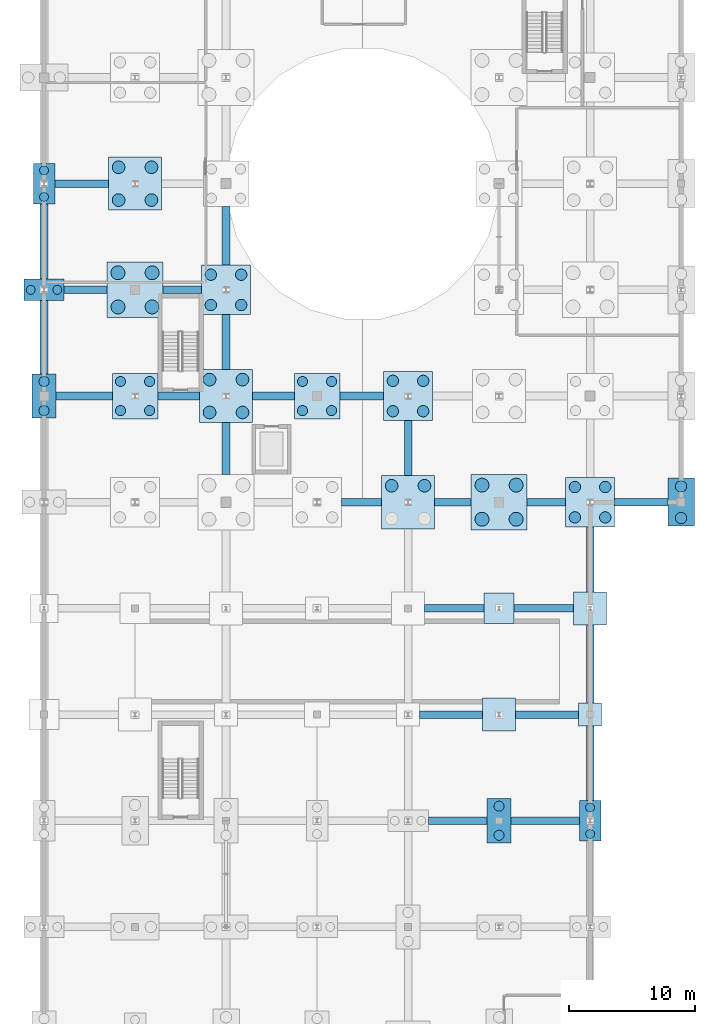
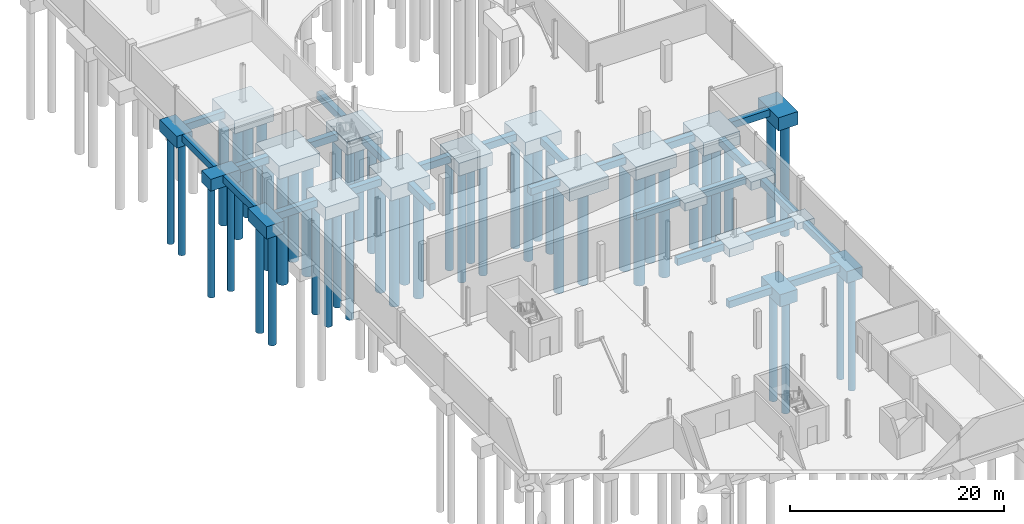
# One storey, part 3 of 32: 50 piles, 46 footings.
"""IFC4 building model written with IfcOpenShell, lengths in metres."""

from ifc_helpers import new_model, si_unit, direction, frame, origin, origin_2d, place, context, subcontext, project, spatial, polyline, rectangle, circle, outline, extrude, material, layer, layer_set, material_profile, profile_set, type_object, element, save


model = new_model("IFC4")

# Units and contexts
model_context = context("Model", 3, precision=1e-05, world=origin(), true_north=direction((0.0, 1.0)))
body_context = subcontext(model_context, "Body", "Model", "MODEL_VIEW")
ifc_project = project(units=[si_unit("LENGTHUNIT", "METRE"), si_unit("AREAUNIT", "SQUARE_METRE"), si_unit("VOLUMEUNIT", "CUBIC_METRE"), si_unit("PLANEANGLEUNIT", "RADIAN"), si_unit("MASSUNIT", "GRAM", prefix="KILO")], contexts=[model_context])

# Site, building, storey
site_placement = place(None, origin())
site = spatial("IfcSite", under=ifc_project, at=site_placement, CompositionType="ELEMENT")
building_placement = place(site_placement, origin())
building = spatial("IfcBuilding", under=site, at=building_placement, Name="Qelthora Terrace Specialist Clinic", CompositionType="ELEMENT")
storey_placement = place(building_placement, frame((0.0, 0.0, -4.199951171875)))
storey = spatial("IfcBuildingStorey", under=building, at=storey_placement, Name="B1", CompositionType="ELEMENT", Elevation=-4.199951171875)

# Footings
ifc_material = material(Name="Concrete C35/45", Category="concrete")
ifc_layer_1 = layer(ifc_material, 1.35009765625)
ifc_layer_set_1 = layer_set([ifc_layer_1], Name="Concrete C35/45")
footing_type_1 = type_object("IfcFootingType", Name="PC-1700X3200X1350", PredefinedType="PILE_CAP", material=ifc_layer_set_1)
for number, where, z_axis, x_axis, name in (
    (1, (0.0, 84.0, -1.650146484375), (0.0, 0.0, 1.0), (1.0, 0.0, 0.0), "Foundation FTG-B1-011"),
    (2, (43.199951171875, 33.60009765625, -1.650146484375), (0.0, 0.0, 1.0), (1.0, 0.0, 0.0), "Foundation FTG-B1-083"),
):
    element("IfcFooting", number, at=place(storey_placement, frame(where, z_axis=z_axis, x_axis=x_axis)), inside=storey, type_object=footing_type_1, Name=name, PredefinedType="PILE_CAP", context=body_context, shape_type="SweptSolid", body=[
        extrude(rectangle(XDim=1.699951171875, YDim=3.199951171875, at=origin_2d()), origin(), (0.0, 0.0, 1.0), 1.35009765625),
    ])
ifc_layer_2 = layer(ifc_material, 1.39990234375)
ifc_layer_set_2 = layer_set([ifc_layer_2], Name="Concrete C35/45")
footing_type_2 = type_object("IfcFootingType", Name="PC-1900X3500X1400", PredefinedType="PILE_CAP", material=ifc_layer_set_2)
for number, where, z_axis, x_axis, name in (
    (3, (0.0, 67.199951171875, -1.699951171875), (0.0, 0.0, 1.0), (1.0, 0.0, 0.0), "Foundation FTG-B1-009"),
    (4, (36.0, 33.60009765625, -1.699951171875), (0.0, 0.0, 1.0), (1.0, 0.0, 0.0), "Foundation FTG-B1-069"),
):
    element("IfcFooting", number, at=place(storey_placement, frame(where, z_axis=z_axis, x_axis=x_axis)), inside=storey, type_object=footing_type_2, Name=name, PredefinedType="PILE_CAP", context=body_context, shape_type="SweptSolid", body=[
        extrude(rectangle(XDim=1.89990234375, YDim=3.5, at=origin_2d()), origin(), (0.0, 0.0, 1.0), 1.39990234375),
    ])
ifc_layer_3 = layer(ifc_material, 1.5)
ifc_layer_set_3 = layer_set([ifc_layer_3], Name="Concrete C35/45")
footing_type_3 = type_object("IfcFootingType", Name="PC-2100X3800X1500", PredefinedType="PILE_CAP", material=ifc_layer_set_3)
footing_1_placement = place(storey_placement, frame((50.39990234375, 58.800048828125, -1.800048828125), z_axis=(0.0, 0.0, 1.0), x_axis=(1.0, 0.0, 0.0)))
element("IfcFooting", 5, at=footing_1_placement, inside=storey, type_object=footing_type_3, Name="Foundation FTG-B1-093", PredefinedType="PILE_CAP", context=body_context, shape_type="SweptSolid", body=[
    extrude(rectangle(XDim=2.10009765625, YDim=3.800048828125, at=origin_2d()), origin(), (0.0, 0.0, 1.0), 1.5),
])
ifc_layer_4 = layer(ifc_material, 1.35009765625)
ifc_layer_set_4 = layer_set([ifc_layer_4], Name="Concrete C35/45")
footing_type_4 = type_object("IfcFootingType", Name="PC-3200X1700X1350", PredefinedType="PILE_CAP", material=ifc_layer_set_4)
footing_2_placement = place(storey_placement, frame((0.0, 75.60009765625, -1.650146484375), z_axis=(0.0, 0.0, 1.0), x_axis=(1.0, 0.0, 0.0)))
element("IfcFooting", 6, at=footing_2_placement, inside=storey, type_object=footing_type_4, Name="Foundation FTG-B1-010", PredefinedType="PILE_CAP", context=body_context, shape_type="SweptSolid", body=[
    extrude(rectangle(XDim=3.199951171875, YDim=1.699951171875, at=origin_2d()), origin(), (0.0, 0.0, 1.0), 1.35009765625),
])
ifc_layer_5 = layer(ifc_material, 1.449951171875)
ifc_layer_set_5 = layer_set([ifc_layer_5], Name="Concrete C35/45")
footing_type_5 = type_object("IfcFootingType", Name="PC-3600X3600X1450", PredefinedType="PILE_CAP", material=ifc_layer_set_5)
for number, where, z_axis, x_axis, name in (
    (7, (7.199951171875, 67.199951171875, -1.75), (0.0, 0.0, 1.0), (1.0, 0.0, 0.0), "Foundation FTG-B1-023"),
    (8, (21.60009765625, 67.199951171875, -1.75), (0.0, 0.0, 1.0), (1.0, 0.0, 0.0), "Foundation FTG-B1-051"),
):
    element("IfcFooting", number, at=place(storey_placement, frame(where, z_axis=z_axis, x_axis=x_axis)), inside=storey, type_object=footing_type_5, Name=name, PredefinedType="PILE_CAP", context=body_context, shape_type="SweptSolid", body=[
        extrude(rectangle(XDim=3.60009765625, YDim=3.60009765625, at=origin_2d()), origin(), (0.0, 0.0, 1.0), 1.449951171875),
    ])
ifc_layer_6 = layer(ifc_material, 1.5)
ifc_layer_set_6 = layer_set([ifc_layer_6], Name="Concrete C35/45")
footing_type_6 = type_object("IfcFootingType", Name="PC-3900X3900X1500", PredefinedType="PILE_CAP", material=ifc_layer_set_6)
for number, where, z_axis, x_axis, name in (
    (9, (14.39990234375, 75.60009765625, -1.800048828125), (0.0, 0.0, 1.0), (1.0, 0.0, 0.0), "Foundation FTG-B1-038"),
    (10, (28.800048828125, 67.199951171875, -1.800048828125), (0.0, 0.0, 1.0), (1.0, 0.0, 0.0), "Foundation FTG-B1-062"),
    (11, (43.199951171875, 58.800048828125, -1.800048828125), (0.0, 0.0, 1.0), (1.0, 0.0, 0.0), "Foundation FTG-B1-086"),
):
    element("IfcFooting", number, at=place(storey_placement, frame(where, z_axis=z_axis, x_axis=x_axis)), inside=storey, type_object=footing_type_6, Name=name, PredefinedType="PILE_CAP", context=body_context, shape_type="SweptSolid", body=[
        extrude(rectangle(XDim=3.89990234375, YDim=3.89990234375, at=origin_2d()), origin(), (0.0, 0.0, 1.0), 1.5),
    ])
ifc_layer_7 = layer(ifc_material, 1.5)
ifc_layer_set_7 = layer_set([ifc_layer_7], Name="Concrete C35/45")
footing_type_7 = type_object("IfcFootingType", Name="PC-4200X4200X1500", PredefinedType="PILE_CAP", material=ifc_layer_set_7)
for number, where, z_axis, x_axis, name in (
    (12, (7.199951171875, 84.0, -1.800048828125), (0.0, 0.0, 1.0), (1.0, 0.0, 0.0), "Foundation FTG-B1-025"),
    (13, (14.39990234375, 67.199951171875, -1.800048828125), (0.0, 0.0, 1.0), (1.0, 0.0, 0.0), "Foundation FTG-B1-037"),
    (14, (28.800048828125, 58.800048828125, -1.800048828125), (0.0, 0.0, 1.0), (1.0, 0.0, 0.0), "Foundation FTG-B1-061"),
):
    element("IfcFooting", number, at=place(storey_placement, frame(where, z_axis=z_axis, x_axis=x_axis)), inside=storey, type_object=footing_type_7, Name=name, PredefinedType="PILE_CAP", context=body_context, shape_type="SweptSolid", body=[
        extrude(rectangle(XDim=4.199951171875, YDim=4.199951171875, at=origin_2d()), origin(), (0.0, 0.0, 1.0), 1.5),
    ])
ifc_layer_8 = layer(ifc_material, 1.5)
ifc_layer_set_8 = layer_set([ifc_layer_8], Name="Concrete C35/45")
footing_type_8 = type_object("IfcFootingType", Name="PC-4400X4400X1500", PredefinedType="PILE_CAP", material=ifc_layer_set_8)
for number, where, z_axis, x_axis, name in (
    (15, (7.199951171875, 75.60009765625, -1.800048828125), (0.0, 0.0, 1.0), (1.0, 0.0, 0.0), "Foundation FTG-B1-024"),
    (16, (36.0, 58.800048828125, -1.800048828125), (0.0, 0.0, 1.0), (1.0, 0.0, 0.0), "Foundation FTG-B1-072"),
):
    element("IfcFooting", number, at=place(storey_placement, frame(where, z_axis=z_axis, x_axis=x_axis)), inside=storey, type_object=footing_type_8, Name=name, PredefinedType="PILE_CAP", context=body_context, shape_type="SweptSolid", body=[
        extrude(rectangle(XDim=4.39990234375, YDim=4.39990234375, at=origin_2d()), origin(), (0.0, 0.0, 1.0), 1.5),
    ])
ifc_layer_9 = layer(ifc_material, 0.75)
ifc_layer_set_9 = layer_set([ifc_layer_9], Name="Concrete C35/45")
footing_type_9 = type_object("IfcFootingType", Name="PF-1800X1800X750", PredefinedType="PAD_FOOTING", material=ifc_layer_set_9)
footing_3_placement = place(storey_placement, frame((43.199951171875, 42.0, -1.050048828125), z_axis=(0.0, 0.0, 1.0), x_axis=(1.0, 0.0, 0.0)))
element("IfcFooting", 17, at=footing_3_placement, inside=storey, type_object=footing_type_9, Name="Foundation FTG-B1-084", PredefinedType="PAD_FOOTING", context=body_context, shape_type="SweptSolid", body=[
    extrude(rectangle(XDim=1.800048828125, YDim=1.800048828125, at=origin_2d()), origin(), (0.0, 0.0, 1.0), 0.75),
])
ifc_layer_10 = layer(ifc_material, 0.89990234375)
ifc_layer_set_10 = layer_set([ifc_layer_10], Name="Concrete C35/45")
footing_type_10 = type_object("IfcFootingType", Name="PF-2400X2400X900", PredefinedType="PAD_FOOTING", material=ifc_layer_set_10)
footing_4_placement = place(storey_placement, frame((36.0, 50.39990234375, -1.199951171875), z_axis=(0.0, 0.0, 1.0), x_axis=(1.0, 0.0, 0.0)))
element("IfcFooting", 18, at=footing_4_placement, inside=storey, type_object=footing_type_10, Name="Foundation FTG-B1-071", PredefinedType="PAD_FOOTING", context=body_context, shape_type="SweptSolid", body=[
    extrude(rectangle(XDim=2.39990234375, YDim=2.39990234375, at=origin_2d()), origin(), (0.0, 0.0, 1.0), 0.89990234375),
])
ifc_layer_11 = layer(ifc_material, 0.949951171875)
ifc_layer_set_11 = layer_set([ifc_layer_11], Name="Concrete C35/45")
footing_type_11 = type_object("IfcFootingType", Name="PF-2600X2600X950", PredefinedType="PAD_FOOTING", material=ifc_layer_set_11)
for number, where, z_axis, x_axis, name in (
    (19, (36.0, 42.0, -1.25), (0.0, 0.0, 1.0), (1.0, 0.0, 0.0), "Foundation FTG-B1-070"),
    (20, (43.199951171875, 50.39990234375, -1.25), (0.0, 0.0, 1.0), (1.0, 0.0, 0.0), "Foundation FTG-B1-085"),
):
    element("IfcFooting", number, at=place(storey_placement, frame(where, z_axis=z_axis, x_axis=x_axis)), inside=storey, type_object=footing_type_11, Name=name, PredefinedType="PAD_FOOTING", context=body_context, shape_type="SweptSolid", body=[
        extrude(rectangle(XDim=2.60009765625, YDim=2.60009765625, at=origin_2d()), origin(), (0.0, 0.0, 1.0), 0.949951171875),
    ])

# Piles
ifc_material_profile_1 = material_profile(ifc_material, circle(Radius=0.5, at=origin_2d()), Name="PILE1000")
ifc_profile_set_1 = profile_set([ifc_material_profile_1], Name="Concrete C35/45")
pile_type_1 = type_object("IfcPileType", Name="PILE-D1000-C35", PredefinedType="BORED", material=ifc_profile_set_1)
for number, where, z_axis, x_axis, name in (
    (21, (5.89990234375, 82.699951171875, -1.699951171875), (0.0, 0.0, -1.0), (1.0, 0.0, 0.0), "Bored pile PILE-B1-025-1"),
    (22, (8.5, 82.699951171875, -1.699951171875), (0.0, 0.0, -1.0), (1.0, 0.0, 0.0), "Bored pile PILE-B1-025-2"),
    (23, (5.89990234375, 85.300048828125, -1.699951171875), (0.0, 0.0, -1.0), (1.0, 0.0, 0.0), "Bored pile PILE-B1-025-3"),
    (24, (8.5, 85.300048828125, -1.699951171875), (0.0, 0.0, -1.0), (1.0, 0.0, 0.0), "Bored pile PILE-B1-025-4"),
    (25, (13.10009765625, 65.89990234375, -1.699951171875), (0.0, 0.0, -1.0), (1.0, 0.0, 0.0), "Bored pile PILE-B1-037-1"),
    (26, (15.699951171875, 65.89990234375, -1.699951171875), (0.0, 0.0, -1.0), (1.0, 0.0, 0.0), "Bored pile PILE-B1-037-2"),
    (27, (13.10009765625, 68.5, -1.699951171875), (0.0, 0.0, -1.0), (1.0, 0.0, 0.0), "Bored pile PILE-B1-037-3"),
    (28, (15.699951171875, 68.5, -1.699951171875), (0.0, 0.0, -1.0), (1.0, 0.0, 0.0), "Bored pile PILE-B1-037-4"),
    (29, (27.5, 60.10009765625, -1.699951171875), (0.0, 0.0, -1.0), (1.0, 0.0, 0.0), "Bored pile PILE-B1-061-3"),
    (30, (30.10009765625, 60.10009765625, -1.699951171875), (0.0, 0.0, -1.0), (1.0, 0.0, 0.0), "Bored pile PILE-B1-061-4"),
):
    element("IfcPile", number, at=place(storey_placement, frame(where, z_axis=z_axis, x_axis=x_axis)), inside=storey, type_object=pile_type_1, Name=name, PredefinedType="BORED", context=body_context, shape_type="SweptSolid", body=[
        extrude(circle(Radius=0.5, at=origin_2d()), origin(), (0.0, 0.0, 1.0), 12.60009765625),
    ])
ifc_material_profile_2 = material_profile(ifc_material, circle(Radius=0.550048828125, at=origin_2d()), Name="PILE1100")
ifc_profile_set_2 = profile_set([ifc_material_profile_2], Name="Concrete C35/45")
pile_type_2 = type_object("IfcPileType", Name="PILE-D1100-C35", PredefinedType="BORED", material=ifc_profile_set_2)
for number, where, z_axis, x_axis, name in (
    (31, (5.85009765625, 74.25, -1.699951171875), (0.0, 0.0, -1.0), (1.0, 0.0, 0.0), "Bored pile PILE-B1-024-1"),
    (32, (8.550048828125, 74.25, -1.699951171875), (0.0, 0.0, -1.0), (1.0, 0.0, 0.0), "Bored pile PILE-B1-024-2"),
    (33, (5.85009765625, 76.949951171875, -1.699951171875), (0.0, 0.0, -1.0), (1.0, 0.0, 0.0), "Bored pile PILE-B1-024-3"),
    (34, (8.550048828125, 76.949951171875, -1.699951171875), (0.0, 0.0, -1.0), (1.0, 0.0, 0.0), "Bored pile PILE-B1-024-4"),
    (35, (34.64990234375, 57.449951171875, -1.699951171875), (0.0, 0.0, -1.0), (1.0, 0.0, 0.0), "Bored pile PILE-B1-072-1"),
    (36, (37.35009765625, 57.449951171875, -1.699951171875), (0.0, 0.0, -1.0), (1.0, 0.0, 0.0), "Bored pile PILE-B1-072-2"),
    (37, (34.64990234375, 60.14990234375, -1.699951171875), (0.0, 0.0, -1.0), (1.0, 0.0, 0.0), "Bored pile PILE-B1-072-3"),
    (38, (37.35009765625, 60.14990234375, -1.699951171875), (0.0, 0.0, -1.0), (1.0, 0.0, 0.0), "Bored pile PILE-B1-072-4"),
):
    element("IfcPile", number, at=place(storey_placement, frame(where, z_axis=z_axis, x_axis=x_axis)), inside=storey, type_object=pile_type_2, Name=name, PredefinedType="BORED", context=body_context, shape_type="SweptSolid", body=[
        extrude(circle(Radius=0.550048828125, at=origin_2d()), origin(), (0.0, 0.0, 1.0), 12.60009765625),
    ])
ifc_material_profile_3 = material_profile(ifc_material, circle(Radius=0.35009765625, at=origin_2d()), Name="PILE700")
ifc_profile_set_3 = profile_set([ifc_material_profile_3], Name="Concrete C35/45")
pile_type_3 = type_object("IfcPileType", Name="PILE-D700-C35", PredefinedType="BORED", material=ifc_profile_set_3)
for number, where, z_axis, x_axis, name in (
    (39, (-1.050048828125, 75.60009765625, -1.550048828125), (0.0, 0.0, -1.0), (1.0, 0.0, 0.0), "Bored pile PILE-B1-010-1"),
    (40, (1.050048828125, 75.60009765625, -1.550048828125), (0.0, 0.0, -1.0), (1.0, 0.0, 0.0), "Bored pile PILE-B1-010-2"),
    (41, (0.0, 82.949951171875, -1.550048828125), (0.0, 0.0, -1.0), (1.0, 0.0, 0.0), "Bored pile PILE-B1-011-1"),
    (42, (0.0, 85.050048828125, -1.550048828125), (0.0, 0.0, -1.0), (1.0, 0.0, 0.0), "Bored pile PILE-B1-011-2"),
    (43, (43.199951171875, 32.550048828125, -1.550048828125), (0.0, 0.0, -1.0), (1.0, 0.0, 0.0), "Bored pile PILE-B1-083-1"),
    (44, (43.199951171875, 34.64990234375, -1.550048828125), (0.0, 0.0, -1.0), (1.0, 0.0, 0.0), "Bored pile PILE-B1-083-2"),
):
    element("IfcPile", number, at=place(storey_placement, frame(where, z_axis=z_axis, x_axis=x_axis)), inside=storey, type_object=pile_type_3, Name=name, PredefinedType="BORED", context=body_context, shape_type="SweptSolid", body=[
        extrude(circle(Radius=0.35009765625, at=origin_2d()), origin(), (0.0, 0.0, 1.0), 12.75),
    ])
ifc_material_profile_4 = material_profile(ifc_material, circle(Radius=0.39990234375, at=origin_2d()), Name="PILE800")
ifc_profile_set_4 = profile_set([ifc_material_profile_4], Name="Concrete C35/45")
pile_type_4 = type_object("IfcPileType", Name="PILE-D800-C35", PredefinedType="BORED", material=ifc_profile_set_4)
for number, where, z_axis, x_axis, name in (
    (45, (0.0, 66.050048828125, -1.60009765625), (0.0, 0.0, -1.0), (1.0, 0.0, 0.0), "Bored pile PILE-B1-009-1"),
    (46, (0.0, 68.35009765625, -1.60009765625), (0.0, 0.0, -1.0), (1.0, 0.0, 0.0), "Bored pile PILE-B1-009-2"),
):
    element("IfcPile", number, at=place(storey_placement, frame(where, z_axis=z_axis, x_axis=x_axis)), inside=storey, type_object=pile_type_4, Name=name, PredefinedType="BORED", context=body_context, shape_type="SweptSolid", body=[
        extrude(circle(Radius=0.39990234375, at=origin_2d()), origin(), (0.0, 0.0, 1.0), 12.699951171875),
    ])
for number, where, z_axis, x_axis, name in (
    (47, (6.050048828125, 66.050048828125, -1.650146484375), (0.0, 0.0, -1.0), (1.0, 0.0, 0.0), "Bored pile PILE-B1-023-1"),
    (48, (8.35009765625, 66.050048828125, -1.650146484375), (0.0, 0.0, -1.0), (1.0, 0.0, 0.0), "Bored pile PILE-B1-023-2"),
    (49, (6.050048828125, 68.35009765625, -1.650146484375), (0.0, 0.0, -1.0), (1.0, 0.0, 0.0), "Bored pile PILE-B1-023-3"),
    (50, (8.35009765625, 68.35009765625, -1.650146484375), (0.0, 0.0, -1.0), (1.0, 0.0, 0.0), "Bored pile PILE-B1-023-4"),
    (51, (20.449951171875, 66.050048828125, -1.650146484375), (0.0, 0.0, -1.0), (1.0, 0.0, 0.0), "Bored pile PILE-B1-051-1"),
    (52, (22.75, 66.050048828125, -1.650146484375), (0.0, 0.0, -1.0), (1.0, 0.0, 0.0), "Bored pile PILE-B1-051-2"),
    (53, (20.449951171875, 68.35009765625, -1.650146484375), (0.0, 0.0, -1.0), (1.0, 0.0, 0.0), "Bored pile PILE-B1-051-3"),
    (54, (22.75, 68.35009765625, -1.650146484375), (0.0, 0.0, -1.0), (1.0, 0.0, 0.0), "Bored pile PILE-B1-051-4"),
):
    element("IfcPile", number, at=place(storey_placement, frame(where, z_axis=z_axis, x_axis=x_axis)), inside=storey, type_object=pile_type_4, Name=name, PredefinedType="BORED", context=body_context, shape_type="SweptSolid", body=[
        extrude(circle(Radius=0.39990234375, at=origin_2d()), origin(), (0.0, 0.0, 1.0), 12.64990234375),
    ])
for number, where, z_axis, x_axis, name in (
    (55, (36.0, 32.449951171875, -1.60009765625), (0.0, 0.0, -1.0), (1.0, 0.0, 0.0), "Bored pile PILE-B1-069-1"),
    (56, (36.0, 34.75, -1.60009765625), (0.0, 0.0, -1.0), (1.0, 0.0, 0.0), "Bored pile PILE-B1-069-2"),
):
    element("IfcPile", number, at=place(storey_placement, frame(where, z_axis=z_axis, x_axis=x_axis)), inside=storey, type_object=pile_type_4, Name=name, PredefinedType="BORED", context=body_context, shape_type="SweptSolid", body=[
        extrude(circle(Radius=0.39990234375, at=origin_2d()), origin(), (0.0, 0.0, 1.0), 12.699951171875),
    ])
ifc_material_profile_5 = material_profile(ifc_material, circle(Radius=0.449951171875, at=origin_2d()), Name="PILE900")
ifc_profile_set_5 = profile_set([ifc_material_profile_5], Name="Concrete C35/45")
pile_type_5 = type_object("IfcPileType", Name="PILE-D900-C35", PredefinedType="BORED", material=ifc_profile_set_5)
for number, where, z_axis, x_axis, name in (
    (57, (13.199951171875, 74.39990234375, -1.699951171875), (0.0, 0.0, -1.0), (1.0, 0.0, 0.0), "Bored pile PILE-B1-038-1"),
    (58, (15.60009765625, 74.39990234375, -1.699951171875), (0.0, 0.0, -1.0), (1.0, 0.0, 0.0), "Bored pile PILE-B1-038-2"),
    (59, (13.199951171875, 76.800048828125, -1.699951171875), (0.0, 0.0, -1.0), (1.0, 0.0, 0.0), "Bored pile PILE-B1-038-3"),
    (60, (15.60009765625, 76.800048828125, -1.699951171875), (0.0, 0.0, -1.0), (1.0, 0.0, 0.0), "Bored pile PILE-B1-038-4"),
    (61, (27.60009765625, 66.0, -1.699951171875), (0.0, 0.0, -1.0), (1.0, 0.0, 0.0), "Bored pile PILE-B1-062-1"),
    (62, (30.0, 66.0, -1.699951171875), (0.0, 0.0, -1.0), (1.0, 0.0, 0.0), "Bored pile PILE-B1-062-2"),
    (63, (27.60009765625, 68.39990234375, -1.699951171875), (0.0, 0.0, -1.0), (1.0, 0.0, 0.0), "Bored pile PILE-B1-062-3"),
    (64, (30.0, 68.39990234375, -1.699951171875), (0.0, 0.0, -1.0), (1.0, 0.0, 0.0), "Bored pile PILE-B1-062-4"),
    (65, (42.0, 57.60009765625, -1.699951171875), (0.0, 0.0, -1.0), (1.0, 0.0, 0.0), "Bored pile PILE-B1-086-1"),
    (66, (44.39990234375, 57.60009765625, -1.699951171875), (0.0, 0.0, -1.0), (1.0, 0.0, 0.0), "Bored pile PILE-B1-086-2"),
    (67, (42.0, 60.0, -1.699951171875), (0.0, 0.0, -1.0), (1.0, 0.0, 0.0), "Bored pile PILE-B1-086-3"),
    (68, (44.39990234375, 60.0, -1.699951171875), (0.0, 0.0, -1.0), (1.0, 0.0, 0.0), "Bored pile PILE-B1-086-4"),
    (69, (50.39990234375, 57.550048828125, -1.699951171875), (0.0, 0.0, -1.0), (1.0, 0.0, 0.0), "Bored pile PILE-B1-093-1"),
    (70, (50.39990234375, 60.050048828125, -1.699951171875), (0.0, 0.0, -1.0), (1.0, 0.0, 0.0), "Bored pile PILE-B1-093-2"),
):
    element("IfcPile", number, at=place(storey_placement, frame(where, z_axis=z_axis, x_axis=x_axis)), inside=storey, type_object=pile_type_5, Name=name, PredefinedType="BORED", context=body_context, shape_type="SweptSolid", body=[
        extrude(circle(Radius=0.449951171875, at=origin_2d()), origin(), (0.0, 0.0, 1.0), 12.60009765625),
    ])

# Footings
ifc_layer_12 = layer(ifc_material, 0.800048828125)
ifc_layer_set_12 = layer_set([ifc_layer_12], Name="Concrete C35/45")
footing_type_12 = type_object("IfcFootingType", Name="SF-600X800-C35", PredefinedType="STRIP_FOOTING", material=ifc_layer_set_12)
footing_5_placement = place(storey_placement, frame((0.0, 0.0, -1.10009765625)))
element("IfcFooting", 71, at=footing_5_placement, inside=storey, type_object=footing_type_12, Name="Foundation tie strip SF-X-017", PredefinedType="STRIP_FOOTING", context=body_context, shape_type="SweptSolid", body=[
    extrude(outline(polyline([(0.949951171875, 66.89990234375), (5.39990234375, 66.89990234375), (5.39990234375, 67.5), (0.949951171875, 67.5), (0.949951171875, 66.89990234375)])), origin(), (0.0, 0.0, 1.0), 0.800048828125),
])
footing_6_placement = place(storey_placement, frame((0.0, 0.0, -1.10009765625)))
element("IfcFooting", 72, at=footing_6_placement, inside=storey, type_object=footing_type_12, Name="Foundation tie strip SF-Y-018", PredefinedType="STRIP_FOOTING", context=body_context, shape_type="SweptSolid", body=[
    extrude(outline(polyline([(-0.300048828125, 68.949951171875), (0.300048828125, 68.949951171875), (0.300048828125, 74.75), (-0.300048828125, 74.75), (-0.300048828125, 68.949951171875)])), origin(), (0.0, 0.0, 1.0), 0.800048828125),
])
footing_7_placement = place(storey_placement, frame((0.0, 0.0, -1.10009765625)))
element("IfcFooting", 73, at=footing_7_placement, inside=storey, type_object=footing_type_12, Name="Foundation tie strip SF-X-019", PredefinedType="STRIP_FOOTING", context=body_context, shape_type="SweptSolid", body=[
    extrude(outline(polyline([(1.60009765625, 75.300048828125), (5.0, 75.300048828125), (5.0, 75.89990234375), (1.60009765625, 75.89990234375), (1.60009765625, 75.300048828125)])), origin(), (0.0, 0.0, 1.0), 0.800048828125),
])
footing_8_placement = place(storey_placement, frame((0.0, 0.0, -1.10009765625)))
element("IfcFooting", 74, at=footing_8_placement, inside=storey, type_object=footing_type_12, Name="Foundation tie strip SF-Y-020", PredefinedType="STRIP_FOOTING", context=body_context, shape_type="SweptSolid", body=[
    extrude(outline(polyline([(-0.300048828125, 76.449951171875), (0.300048828125, 76.449951171875), (0.300048828125, 82.39990234375), (-0.300048828125, 82.39990234375), (-0.300048828125, 76.449951171875)])), origin(), (0.0, 0.0, 1.0), 0.800048828125),
])
footing_9_placement = place(storey_placement, frame((0.0, 0.0, -1.10009765625)))
element("IfcFooting", 75, at=footing_9_placement, inside=storey, type_object=footing_type_12, Name="Foundation tie strip SF-X-021", PredefinedType="STRIP_FOOTING", context=body_context, shape_type="SweptSolid", body=[
    extrude(outline(polyline([(0.85009765625, 83.699951171875), (5.10009765625, 83.699951171875), (5.10009765625, 84.300048828125), (0.85009765625, 84.300048828125), (0.85009765625, 83.699951171875)])), origin(), (0.0, 0.0, 1.0), 0.800048828125),
])
footing_10_placement = place(storey_placement, frame((0.0, 0.0, -1.10009765625)))
element("IfcFooting", 76, at=footing_10_placement, inside=storey, type_object=footing_type_12, Name="Foundation tie strip SF-X-036", PredefinedType="STRIP_FOOTING", context=body_context, shape_type="SweptSolid", body=[
    extrude(outline(polyline([(9.0, 66.89990234375), (12.300048828125, 66.89990234375), (12.300048828125, 67.5), (9.0, 67.5), (9.0, 66.89990234375)])), origin(), (0.0, 0.0, 1.0), 0.800048828125),
])
footing_11_placement = place(storey_placement, frame((0.0, 0.0, -1.10009765625)))
element("IfcFooting", 77, at=footing_11_placement, inside=storey, type_object=footing_type_12, Name="Foundation tie strip SF-X-037", PredefinedType="STRIP_FOOTING", context=body_context, shape_type="SweptSolid", body=[
    extrude(outline(polyline([(9.39990234375, 75.300048828125), (12.449951171875, 75.300048828125), (12.449951171875, 75.89990234375), (9.39990234375, 75.89990234375), (9.39990234375, 75.300048828125)])), origin(), (0.0, 0.0, 1.0), 0.800048828125),
])
footing_12_placement = place(storey_placement, frame((0.0, 0.0, -1.10009765625)))
element("IfcFooting", 78, at=footing_12_placement, inside=storey, type_object=footing_type_12, Name="Foundation tie strip SF-Y-057", PredefinedType="STRIP_FOOTING", context=body_context, shape_type="SweptSolid", body=[
    extrude(outline(polyline([(14.10009765625, 61.0), (14.699951171875, 61.0), (14.699951171875, 65.10009765625), (14.10009765625, 65.10009765625), (14.10009765625, 61.0)])), origin(), (0.0, 0.0, 1.0), 0.800048828125),
])
footing_13_placement = place(storey_placement, frame((0.0, 0.0, -1.10009765625)))
element("IfcFooting", 79, at=footing_13_placement, inside=storey, type_object=footing_type_12, Name="Foundation tie strip SF-X-058", PredefinedType="STRIP_FOOTING", context=body_context, shape_type="SweptSolid", body=[
    extrude(outline(polyline([(16.5, 66.89990234375), (19.800048828125, 66.89990234375), (19.800048828125, 67.5), (16.5, 67.5), (16.5, 66.89990234375)])), origin(), (0.0, 0.0, 1.0), 0.800048828125),
])
footing_14_placement = place(storey_placement, frame((0.0, 0.0, -1.10009765625)))
element("IfcFooting", 80, at=footing_14_placement, inside=storey, type_object=footing_type_12, Name="Foundation tie strip SF-Y-059", PredefinedType="STRIP_FOOTING", context=body_context, shape_type="SweptSolid", body=[
    extrude(outline(polyline([(14.10009765625, 69.300048828125), (14.699951171875, 69.300048828125), (14.699951171875, 73.64990234375), (14.10009765625, 73.64990234375), (14.10009765625, 69.300048828125)])), origin(), (0.0, 0.0, 1.0), 0.800048828125),
])
footing_15_placement = place(storey_placement, frame((0.0, 0.0, -1.10009765625)))
element("IfcFooting", 81, at=footing_15_placement, inside=storey, type_object=footing_type_12, Name="Foundation tie strip SF-Y-060", PredefinedType="STRIP_FOOTING", context=body_context, shape_type="SweptSolid", body=[
    extrude(outline(polyline([(14.10009765625, 77.550048828125), (14.699951171875, 77.550048828125), (14.699951171875, 82.199951171875), (14.10009765625, 82.199951171875), (14.10009765625, 77.550048828125)])), origin(), (0.0, 0.0, 1.0), 0.800048828125),
])
footing_16_placement = place(storey_placement, frame((0.0, 0.0, -1.10009765625)))
element("IfcFooting", 82, at=footing_16_placement, inside=storey, type_object=footing_type_12, Name="Foundation tie strip SF-X-073", PredefinedType="STRIP_FOOTING", context=body_context, shape_type="SweptSolid", body=[
    extrude(outline(polyline([(23.550048828125, 58.5), (26.699951171875, 58.5), (26.699951171875, 59.10009765625), (23.550048828125, 59.10009765625), (23.550048828125, 58.5)])), origin(), (0.0, 0.0, 1.0), 0.800048828125),
])
footing_17_placement = place(storey_placement, frame((0.0, 0.0, -1.10009765625)))
element("IfcFooting", 83, at=footing_17_placement, inside=storey, type_object=footing_type_12, Name="Foundation tie strip SF-X-074", PredefinedType="STRIP_FOOTING", context=body_context, shape_type="SweptSolid", body=[
    extrude(outline(polyline([(23.39990234375, 66.89990234375), (26.85009765625, 66.89990234375), (26.85009765625, 67.5), (23.39990234375, 67.5), (23.39990234375, 66.89990234375)])), origin(), (0.0, 0.0, 1.0), 0.800048828125),
])
footing_18_placement = place(storey_placement, frame((0.0, 0.0, -1.10009765625)))
element("IfcFooting", 84, at=footing_18_placement, inside=storey, type_object=footing_type_12, Name="Foundation tie strip SF-X-085", PredefinedType="STRIP_FOOTING", context=body_context, shape_type="SweptSolid", body=[
    extrude(outline(polyline([(30.39990234375, 33.300048828125), (35.050048828125, 33.300048828125), (35.050048828125, 33.89990234375), (30.39990234375, 33.89990234375), (30.39990234375, 33.300048828125)])), origin(), (0.0, 0.0, 1.0), 0.800048828125),
])
footing_19_placement = place(storey_placement, frame((0.0, 0.0, -1.10009765625)))
element("IfcFooting", 85, at=footing_19_placement, inside=storey, type_object=footing_type_12, Name="Foundation tie strip SF-X-087", PredefinedType="STRIP_FOOTING", context=body_context, shape_type="SweptSolid", body=[
    extrude(outline(polyline([(29.699951171875, 41.699951171875), (34.699951171875, 41.699951171875), (34.699951171875, 42.300048828125), (29.699951171875, 42.300048828125), (29.699951171875, 41.699951171875)])), origin(), (0.0, 0.0, 1.0), 0.800048828125),
])
footing_20_placement = place(storey_placement, frame((0.0, 0.0, -1.10009765625)))
element("IfcFooting", 86, at=footing_20_placement, inside=storey, type_object=footing_type_12, Name="Foundation tie strip SF-X-089", PredefinedType="STRIP_FOOTING", context=body_context, shape_type="SweptSolid", body=[
    extrude(outline(polyline([(30.10009765625, 50.10009765625), (34.800048828125, 50.10009765625), (34.800048828125, 50.699951171875), (30.10009765625, 50.699951171875), (30.10009765625, 50.10009765625)])), origin(), (0.0, 0.0, 1.0), 0.800048828125),
])
footing_21_placement = place(storey_placement, frame((0.0, 0.0, -1.10009765625)))
element("IfcFooting", 87, at=footing_21_placement, inside=storey, type_object=footing_type_12, Name="Foundation tie strip SF-X-091", PredefinedType="STRIP_FOOTING", context=body_context, shape_type="SweptSolid", body=[
    extrude(outline(polyline([(30.89990234375, 58.5), (33.800048828125, 58.5), (33.800048828125, 59.10009765625), (30.89990234375, 59.10009765625), (30.89990234375, 58.5)])), origin(), (0.0, 0.0, 1.0), 0.800048828125),
])
footing_22_placement = place(storey_placement, frame((0.0, 0.0, -1.10009765625)))
element("IfcFooting", 88, at=footing_22_placement, inside=storey, type_object=footing_type_12, Name="Foundation tie strip SF-Y-092", PredefinedType="STRIP_FOOTING", context=body_context, shape_type="SweptSolid", body=[
    extrude(outline(polyline([(28.5, 60.89990234375), (29.10009765625, 60.89990234375), (29.10009765625, 65.25), (28.5, 65.25), (28.5, 60.89990234375)])), origin(), (0.0, 0.0, 1.0), 0.800048828125),
])
footing_23_placement = place(storey_placement, frame((0.0, 0.0, -1.10009765625)))
element("IfcFooting", 89, at=footing_23_placement, inside=storey, type_object=footing_type_12, Name="Foundation tie strip SF-X-101", PredefinedType="STRIP_FOOTING", context=body_context, shape_type="SweptSolid", body=[
    extrude(outline(polyline([(36.949951171875, 33.300048828125), (42.35009765625, 33.300048828125), (42.35009765625, 33.89990234375), (36.949951171875, 33.89990234375), (36.949951171875, 33.300048828125)])), origin(), (0.0, 0.0, 1.0), 0.800048828125),
])
footing_24_placement = place(storey_placement, frame((0.0, 0.0, -1.10009765625)))
element("IfcFooting", 90, at=footing_24_placement, inside=storey, type_object=footing_type_12, Name="Foundation tie strip SF-X-102", PredefinedType="STRIP_FOOTING", context=body_context, shape_type="SweptSolid", body=[
    extrude(outline(polyline([(37.300048828125, 41.699951171875), (42.300048828125, 41.699951171875), (42.300048828125, 42.300048828125), (37.300048828125, 42.300048828125), (37.300048828125, 41.699951171875)])), origin(), (0.0, 0.0, 1.0), 0.800048828125),
])
footing_25_placement = place(storey_placement, frame((0.0, 0.0, -1.10009765625)))
element("IfcFooting", 91, at=footing_25_placement, inside=storey, type_object=footing_type_12, Name="Foundation tie strip SF-X-103", PredefinedType="STRIP_FOOTING", context=body_context, shape_type="SweptSolid", body=[
    extrude(outline(polyline([(37.199951171875, 50.10009765625), (41.89990234375, 50.10009765625), (41.89990234375, 50.699951171875), (37.199951171875, 50.699951171875), (37.199951171875, 50.10009765625)])), origin(), (0.0, 0.0, 1.0), 0.800048828125),
])
footing_26_placement = place(storey_placement, frame((0.0, 0.0, -1.10009765625)))
element("IfcFooting", 92, at=footing_26_placement, inside=storey, type_object=footing_type_12, Name="Foundation tie strip SF-X-104", PredefinedType="STRIP_FOOTING", context=body_context, shape_type="SweptSolid", body=[
    extrude(outline(polyline([(38.199951171875, 58.5), (41.25, 58.5), (41.25, 59.10009765625), (38.199951171875, 59.10009765625), (38.199951171875, 58.5)])), origin(), (0.0, 0.0, 1.0), 0.800048828125),
])
footing_27_placement = place(storey_placement, frame((0.0, 0.0, -1.10009765625)))
element("IfcFooting", 93, at=footing_27_placement, inside=storey, type_object=footing_type_12, Name="Foundation tie strip SF-Y-115", PredefinedType="STRIP_FOOTING", context=body_context, shape_type="SweptSolid", body=[
    extrude(outline(polyline([(42.89990234375, 35.199951171875), (43.5, 35.199951171875), (43.5, 41.10009765625), (42.89990234375, 41.10009765625), (42.89990234375, 35.199951171875)])), origin(), (0.0, 0.0, 1.0), 0.800048828125),
])
footing_28_placement = place(storey_placement, frame((0.0, 0.0, -1.10009765625)))
element("IfcFooting", 94, at=footing_28_placement, inside=storey, type_object=footing_type_12, Name="Foundation tie strip SF-Y-116", PredefinedType="STRIP_FOOTING", context=body_context, shape_type="SweptSolid", body=[
    extrude(outline(polyline([(42.89990234375, 42.89990234375), (43.5, 42.89990234375), (43.5, 49.10009765625), (42.89990234375, 49.10009765625), (42.89990234375, 42.89990234375)])), origin(), (0.0, 0.0, 1.0), 0.800048828125),
])
footing_29_placement = place(storey_placement, frame((0.0, 0.0, -1.10009765625)))
element("IfcFooting", 95, at=footing_29_placement, inside=storey, type_object=footing_type_12, Name="Foundation tie strip SF-Y-117", PredefinedType="STRIP_FOOTING", context=body_context, shape_type="SweptSolid", body=[
    extrude(outline(polyline([(42.89990234375, 51.699951171875), (43.5, 51.699951171875), (43.5, 56.85009765625), (42.89990234375, 56.85009765625), (42.89990234375, 51.699951171875)])), origin(), (0.0, 0.0, 1.0), 0.800048828125),
])
footing_30_placement = place(storey_placement, frame((0.0, 0.0, -1.10009765625)))
element("IfcFooting", 96, at=footing_30_placement, inside=storey, type_object=footing_type_12, Name="Foundation tie strip SF-X-118", PredefinedType="STRIP_FOOTING", context=body_context, shape_type="SweptSolid", body=[
    extrude(outline(polyline([(45.14990234375, 58.5), (49.35009765625, 58.5), (49.35009765625, 59.10009765625), (45.14990234375, 59.10009765625), (45.14990234375, 58.5)])), origin(), (0.0, 0.0, 1.0), 0.800048828125),
])

save(model, "model.ifc")
